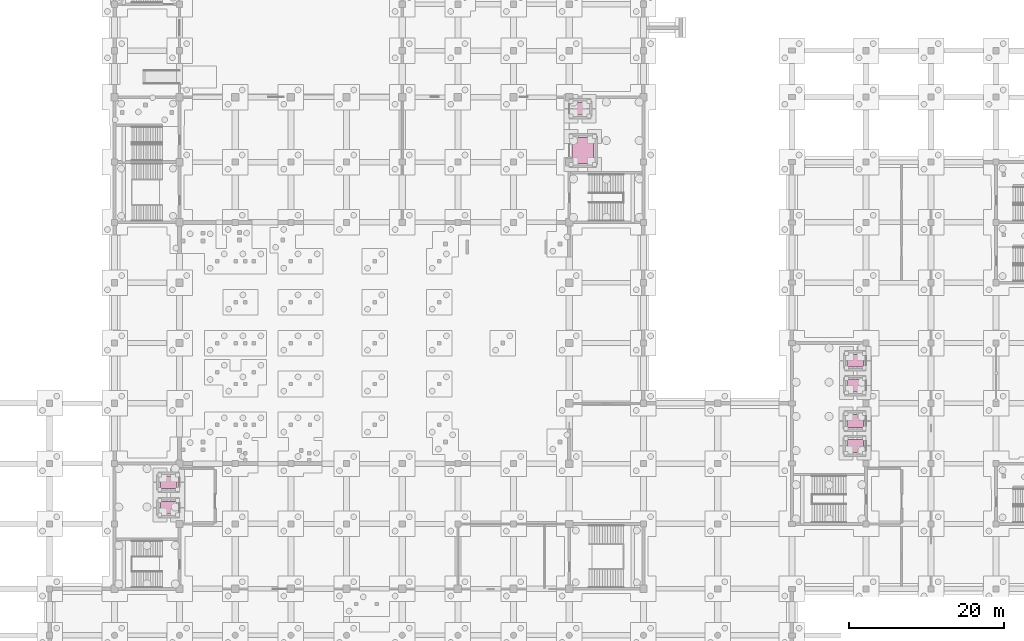
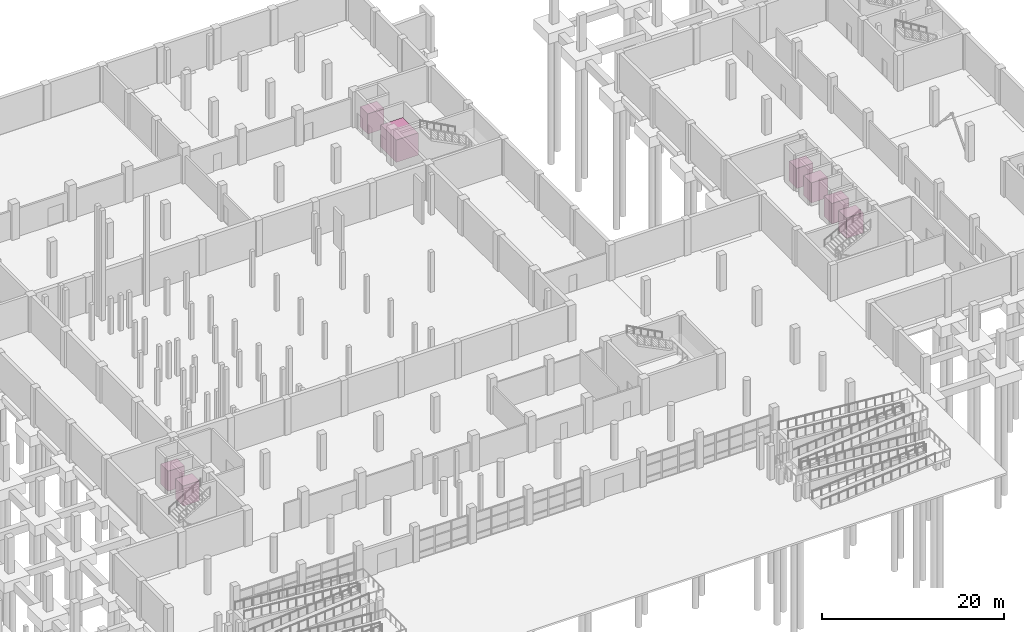
# One storey, part 42 of 42: 8 transport elements.
"""IFC4 building model written with IfcOpenShell, lengths in metres."""

from ifc_helpers import new_model, si_unit, direction, frame, origin, origin_2d, place, context, subcontext, project, spatial, rectangle, extrude, material, type_object, element, save


model = new_model("IFC4")

# Units and contexts
model_context = context("Model", 3, precision=1e-05, world=origin(), true_north=direction((0.0, 1.0)))
body_context = subcontext(model_context, "Body", "Model", "MODEL_VIEW")
ifc_project = project(units=[si_unit("LENGTHUNIT", "METRE"), si_unit("AREAUNIT", "SQUARE_METRE"), si_unit("VOLUMEUNIT", "CUBIC_METRE"), si_unit("PLANEANGLEUNIT", "RADIAN"), si_unit("MASSUNIT", "GRAM", prefix="KILO")], contexts=[model_context])

# Site, building, storey
site_placement = place(None, origin())
site = spatial("IfcSite", under=ifc_project, at=site_placement, CompositionType="ELEMENT")
building_placement = place(site_placement, origin())
building = spatial("IfcBuilding", under=site, at=building_placement, Name="Pellamere Symphony Hall", CompositionType="ELEMENT")
storey_placement = place(building_placement, frame((0.0, 0.0, -4.800048828125)))
storey = spatial("IfcBuildingStorey", under=building, at=storey_placement, Name="B1", CompositionType="ELEMENT", Elevation=-4.800048828125)

# Transport elements
ifc_material = material(Name="Stainless Steel AISI 316 Cab Assembly", Category="steel")
transport_element_type_1 = type_object("IfcTransportElementType", Name="Elevator LF-FF 2150x1700 (2000kg)", PredefinedType="ELEVATOR", material=ifc_material)
for number, where, z_axis, x_axis, name in (
    (1, (146.175048828125, 48.5, 0.0), (0.0, 0.0, 1.0), (1.0, 0.0, 0.0), "Firefighter Elevator FFL1"),
    (2, (146.175048828125, 51.699951171875, 0.0), (0.0, 0.0, 1.0), (1.0, 0.0, 0.0), "Firefighter Elevator FFL2"),
):
    element("IfcTransportElement", number, at=place(storey_placement, frame(where, z_axis=z_axis, x_axis=x_axis)), inside=storey, type_object=transport_element_type_1, Name=name, PredefinedType="ELEVATOR", context=body_context, shape_type="SweptSolid", body=[
        extrude(rectangle(XDim=2.14990234375, YDim=1.699951171875, at=origin_2d()), origin(), (0.0, 0.0, 1.0), 2.75),
    ])
transport_element_type_2 = type_object("IfcTransportElementType", Name="Elevator LF-PA 2100x1650 (1800kg)", PredefinedType="ELEVATOR", material=ifc_material)
for number, where, z_axis, x_axis, name in (
    (3, (57.39990234375, 40.5, 0.0), (0.0, 0.0, 1.0), (1.0, 0.0, 0.0), "Elevator PL1"),
    (4, (57.39990234375, 43.800048828125, 0.0), (0.0, 0.0, 1.0), (1.0, 0.0, 0.0), "Elevator PL2"),
    (5, (146.199951171875, 56.300048828125, 0.0), (0.0, 0.0, 1.0), (1.0, 0.0, 0.0), "Elevator PL3"),
    (6, (146.199951171875, 59.5, 0.0), (0.0, 0.0, 1.0), (1.0, 0.0, 0.0), "Elevator PL4"),
    (7, (110.60009765625, 92.10009765625, 0.0), (0.0, 0.0, 1.0), (1.0, 0.0, 0.0), "Elevator PL6"),
):
    element("IfcTransportElement", number, at=place(storey_placement, frame(where, z_axis=z_axis, x_axis=x_axis)), inside=storey, type_object=transport_element_type_2, Name=name, PredefinedType="ELEVATOR", context=body_context, shape_type="SweptSolid", body=[
        extrude(rectangle(XDim=2.10009765625, YDim=1.64990234375, at=origin_2d()), origin(), (0.0, 0.0, 1.0), 2.699951171875),
    ])
transport_element_type_3 = type_object("IfcTransportElementType", Name="Elevator LF-PF 2800x3400 (5000kg)", PredefinedType="ELEVATOR", material=ifc_material)
transport_element_placement = place(storey_placement, frame((110.949951171875, 86.699951171875, 0.0), z_axis=(0.0, 0.0, 1.0), x_axis=(1.0, 0.0, 0.0)))
element("IfcTransportElement", 8, at=transport_element_placement, inside=storey, type_object=transport_element_type_3, Name="Elevator GL1", PredefinedType="ELEVATOR", context=body_context, shape_type="SweptSolid", body=[
    extrude(rectangle(XDim=2.800048828125, YDim=3.39990234375, at=origin_2d()), origin(), (0.0, 0.0, 1.0), 3.0),
])

save(model, "model.ifc")
